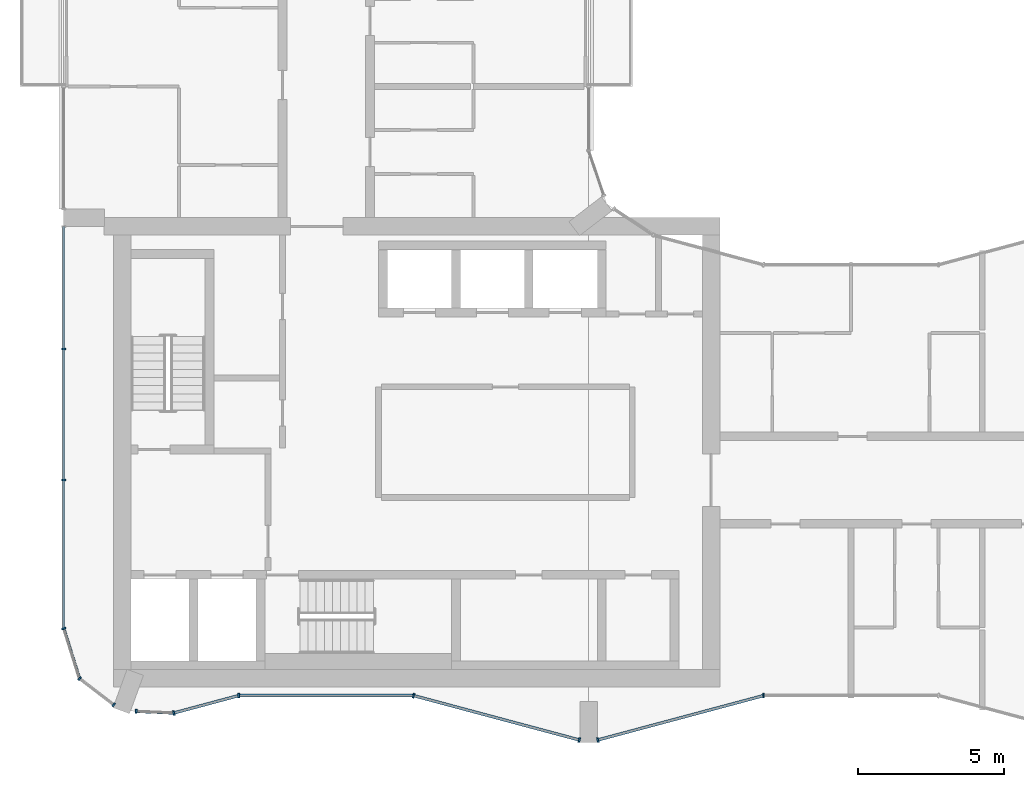
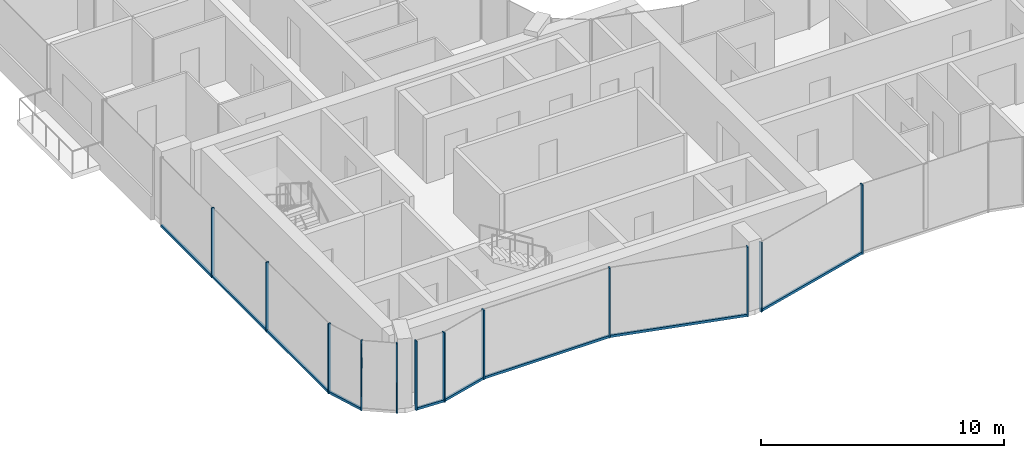
# One storey, part 2 of 17: 19 members, 9 elements without a shape of their own.
"""IFC4 building model written with IfcOpenShell, lengths in metres."""

from ifc_helpers import new_model, si_unit, direction, frame, origin, origin_2d, place, context, subcontext, project, spatial, rectangle, extrude, material, layer, layer_set, material_profile, profile_set, type_object, element, aggregate, save


model = new_model("IFC4")

# Units and contexts
model_context = context("Model", 3, precision=1e-05, world=origin(), true_north=direction((0.0, 1.0)))
body_context = subcontext(model_context, "Body", "Model", "MODEL_VIEW")
ifc_project = project(units=[si_unit("LENGTHUNIT", "METRE"), si_unit("AREAUNIT", "SQUARE_METRE"), si_unit("VOLUMEUNIT", "CUBIC_METRE"), si_unit("PLANEANGLEUNIT", "RADIAN"), si_unit("MASSUNIT", "GRAM", prefix="KILO")], contexts=[model_context])

# Site, building, storey
site_placement = place(None, origin())
site = spatial("IfcSite", under=ifc_project, at=site_placement, CompositionType="ELEMENT")
building_placement = place(site_placement, origin())
building = spatial("IfcBuilding", under=site, at=building_placement, Name="Plateau Cross Towers", CompositionType="ELEMENT")
storey_placement = place(building_placement, frame((0.0, 0.0, 146.39990234375)))
storey = spatial("IfcBuildingStorey", under=building, at=storey_placement, Name="L37", CompositionType="ELEMENT", Elevation=146.39990234375)

# Curtain wall, members
ifc_material_1 = material(Name="Dark low-iron glass", Category="glass")
ifc_layer_1 = layer(ifc_material_1, 0.239990234375)
ifc_layer_set_1 = layer_set([ifc_layer_1], Name="Dark low-iron glass")
curtain_wall_type_1 = type_object("IfcCurtainWallType", Name="Curtain wall flush unitised CW-B", PredefinedType="NOTDEFINED", material=ifc_layer_set_1)
curtain_wall_1_placement = place(storey_placement, origin())
curtain_wall_1 = element("IfcCurtainWall", 1, at=curtain_wall_1_placement, inside=storey, type_object=curtain_wall_type_1, Name="ENV/A/L37/A0_177", PredefinedType="NOTDEFINED")
ifc_material_2 = material(Name="Black anodised aluminium", Category="aluminium")
ifc_material_profile_1 = material_profile(ifc_material_2, rectangle(XDim=0.06005859375, YDim=0.139892578125, at=origin_2d()), Name="MULLION 60x140")
ifc_profile_set_1 = profile_set([ifc_material_profile_1], Name="Black anodised aluminium")
member_type_1 = type_object("IfcMemberType", Name="Mullion 60x140 flush unitised", PredefinedType="MULLION", material=ifc_profile_set_1)
member_1_placement = place(storey_placement, frame((0.0, 13.5, -0.25), z_axis=(0.0, 0.0, 1.0), x_axis=(0.0, -1.0, 0.0)))
member_1 = element("IfcMember", 2, at=member_1_placement, type_object=member_type_1, Name="CW-B mullion 2", PredefinedType="MULLION", context=body_context, shape_type="SweptSolid", body=[
    extrude(rectangle(XDim=0.06005859375, YDim=0.139892578125, at=origin_2d()), origin(), (0.0, 0.0, 1.0), 3.5),
])
member_2_placement = place(storey_placement, frame((0.0, 9.0, -0.25), z_axis=(0.0, 0.0, 1.0), x_axis=(0.0, -1.0, 0.0)))
member_2 = element("IfcMember", 3, at=member_2_placement, type_object=member_type_1, Name="CW-B mullion 3", PredefinedType="MULLION", context=body_context, shape_type="SweptSolid", body=[
    extrude(rectangle(XDim=0.06005859375, YDim=0.139892578125, at=origin_2d()), origin(), (0.0, 0.0, 1.0), 3.5),
])

# Curtain wall, member
curtain_wall_2_placement = place(storey_placement, origin())
curtain_wall_2 = element("IfcCurtainWall", 4, at=curtain_wall_2_placement, inside=storey, type_object=curtain_wall_type_1, Name="ENV/A/L37/A0_39", PredefinedType="NOTDEFINED")
member_3_placement = place(storey_placement, frame((0.0, 3.9091796875, -0.25), z_axis=(0.0, 0.0, 1.0), x_axis=(0.300686174994, -0.95372313811, 0.0)))
member_3 = element("IfcMember", 5, at=member_3_placement, type_object=member_type_1, Name="CW-B mullion 1", PredefinedType="MULLION", context=body_context, shape_type="SweptSolid", body=[
    extrude(rectangle(XDim=0.06005859375, YDim=0.139892578125, at=origin_2d()), origin(), (0.0, 0.0, 1.0), 3.5),
])

# Curtain wall, members
curtain_wall_3_placement = place(storey_placement, origin())
curtain_wall_3 = element("IfcCurtainWall", 6, at=curtain_wall_3_placement, inside=storey, type_object=curtain_wall_type_1, Name="ENV/A/L37/A5_22", PredefinedType="NOTDEFINED")
member_4_placement = place(storey_placement, frame((0.54248046875, 2.1884765625, -0.25), z_axis=(0.0, 0.0, 1.0), x_axis=(0.793315514529, -0.608810721331, 0.0)))
member_4 = element("IfcMember", 7, at=member_4_placement, type_object=member_type_1, Name="CW-B mullion 1", PredefinedType="MULLION", context=body_context, shape_type="SweptSolid", body=[
    extrude(rectangle(XDim=0.06005859375, YDim=0.139892578125, at=origin_2d()), origin(), (0.0, 0.0, 1.0), 3.5),
])
member_5_placement = place(storey_placement, frame((1.709716796875, 1.292724609375, -0.25), z_axis=(0.0, 0.0, 1.0), x_axis=(0.793315514529, -0.608810721331, 0.0)))
member_5 = element("IfcMember", 8, at=member_5_placement, type_object=member_type_1, Name="CW-B mullion 2", PredefinedType="MULLION", context=body_context, shape_type="SweptSolid", body=[
    extrude(rectangle(XDim=0.06005859375, YDim=0.139892578125, at=origin_2d()), origin(), (0.0, 0.0, 1.0), 3.5),
])
aggregate(curtain_wall_3, [member_4, member_5])

# Curtain wall, member
curtain_wall_4_placement = place(storey_placement, origin())
curtain_wall_4 = element("IfcCurtainWall", 9, at=curtain_wall_4_placement, inside=storey, type_object=curtain_wall_type_1, Name="ENV/A/L37/A25_11", PredefinedType="NOTDEFINED")
member_6_placement = place(storey_placement, frame((2.483642578125, 1.06787109375, -0.25), z_axis=(0.0, 0.0, 1.0), x_axis=(0.999043701491, -0.043722791671, 0.0)))
member_6 = element("IfcMember", 10, at=member_6_placement, type_object=member_type_1, Name="CW-B mullion 1", PredefinedType="MULLION", context=body_context, shape_type="SweptSolid", body=[
    extrude(rectangle(XDim=0.06005859375, YDim=0.139892578125, at=origin_2d()), origin(), (0.0, 0.0, 1.0), 3.5),
])

ifc_layer_2 = layer(ifc_material_1, 0.260009765625)
ifc_layer_set_2 = layer_set([ifc_layer_2], Name="Dark low-iron glass")
curtain_wall_type_2 = type_object("IfcCurtainWallType", Name="Curtain wall fluted unitised CW-A", PredefinedType="NOTDEFINED", material=ifc_layer_set_2)
curtain_wall_5_placement = place(storey_placement, origin())
curtain_wall_5 = element("IfcCurtainWall", 11, at=curtain_wall_5_placement, inside=storey, type_object=curtain_wall_type_2, Name="ENV/A/L37/A38_10", PredefinedType="NOTDEFINED")
ifc_material_profile_2 = material_profile(ifc_material_2, rectangle(XDim=0.06005859375, YDim=0.159912109375, at=origin_2d()), Name="MULLION 60x160")
ifc_profile_set_2 = profile_set([ifc_material_profile_2], Name="Black anodised aluminium")
member_type_2 = type_object("IfcMemberType", Name="Mullion 60x160 fluted unitised", PredefinedType="MULLION", material=ifc_profile_set_2)
member_7_placement = place(storey_placement, frame((3.776123046875, 1.01123046875, -0.25), z_axis=(0.0, 0.0, 1.0), x_axis=(0.965957962328, 0.258699081978, 0.0)))
member_7 = element("IfcMember", 12, at=member_7_placement, type_object=member_type_2, Name="CW-A mullion 1", PredefinedType="MULLION", context=body_context, shape_type="SweptSolid", body=[
    extrude(rectangle(XDim=0.06005859375, YDim=0.159912109375, at=origin_2d()), origin(), (0.0, 0.0, 1.0), 3.5),
])

curtain_wall_6_placement = place(storey_placement, origin())
curtain_wall_6 = element("IfcCurtainWall", 13, at=curtain_wall_6_placement, inside=storey, type_object=curtain_wall_type_2, Name="ENV/A/L37/A60_16", PredefinedType="NOTDEFINED")
member_8_placement = place(storey_placement, frame((6.0, 1.60693359375, -0.25), z_axis=(0.0, 0.0, 1.0), x_axis=(1.0, 0.0, 0.0)))
member_8 = element("IfcMember", 14, at=member_8_placement, type_object=member_type_2, Name="CW-A mullion 1", PredefinedType="MULLION", context=body_context, shape_type="SweptSolid", body=[
    extrude(rectangle(XDim=0.06005859375, YDim=0.159912109375, at=origin_2d()), origin(), (0.0, 0.0, 1.0), 3.5),
])

# Curtain wall, members
curtain_wall_7_placement = place(storey_placement, origin())
curtain_wall_7 = element("IfcCurtainWall", 15, at=curtain_wall_7_placement, inside=storey, type_object=curtain_wall_type_2, Name="ENV/A/L37/A120_16", PredefinedType="NOTDEFINED")
member_9_placement = place(storey_placement, frame((12.0, 1.60693359375, -0.25), z_axis=(0.0, 0.0, 1.0), x_axis=(0.965957983404, -0.258699003279, 0.0)))
member_9 = element("IfcMember", 16, at=member_9_placement, type_object=member_type_2, Name="CW-A mullion 1", PredefinedType="MULLION", context=body_context, shape_type="SweptSolid", body=[
    extrude(rectangle(XDim=0.06005859375, YDim=0.159912109375, at=origin_2d()), origin(), (0.0, 0.0, 1.0), 3.5),
])
member_10_placement = place(storey_placement, frame((17.68212890625, 0.085205078125, -0.25), z_axis=(0.0, 0.0, 1.0), x_axis=(0.965957983404, -0.258699003279, 0.0)))
member_10 = element("IfcMember", 17, at=member_10_placement, type_object=member_type_2, Name="CW-A mullion 2", PredefinedType="MULLION", context=body_context, shape_type="SweptSolid", body=[
    extrude(rectangle(XDim=0.06005859375, YDim=0.159912109375, at=origin_2d()), origin(), (0.0, 0.0, 1.0), 3.5),
])

# Curtain wall, member
curtain_wall_8_placement = place(storey_placement, origin())
curtain_wall_8 = element("IfcCurtainWall", 18, at=curtain_wall_8_placement, inside=storey, type_object=curtain_wall_type_2, Name="ENV/A/L37/A183_1", PredefinedType="NOTDEFINED")
member_11_placement = place(storey_placement, frame((18.31787109375, 0.085205078125, -0.25), z_axis=(0.0, 0.0, 1.0), x_axis=(0.965957983404, 0.258699003279, 0.0)))
member_11 = element("IfcMember", 19, at=member_11_placement, type_object=member_type_2, Name="CW-A mullion 1", PredefinedType="MULLION", context=body_context, shape_type="SweptSolid", body=[
    extrude(rectangle(XDim=0.06005859375, YDim=0.159912109375, at=origin_2d()), origin(), (0.0, 0.0, 1.0), 3.5),
])

curtain_wall_9_placement = place(storey_placement, origin())
curtain_wall_9 = element("IfcCurtainWall", 20, at=curtain_wall_9_placement, inside=storey, type_object=curtain_wall_type_2, Name="ENV/A/L37/A240_16", PredefinedType="NOTDEFINED")
member_12_placement = place(storey_placement, frame((24.0, 1.60693359375, -0.25), z_axis=(0.0, 0.0, 1.0), x_axis=(1.0, 0.0, 0.0)))
member_12 = element("IfcMember", 21, at=member_12_placement, type_object=member_type_2, Name="CW-A mullion 1", PredefinedType="MULLION", context=body_context, shape_type="SweptSolid", body=[
    extrude(rectangle(XDim=0.06005859375, YDim=0.159912109375, at=origin_2d()), origin(), (0.0, 0.0, 1.0), 3.5),
])
aggregate(curtain_wall_9, [member_12])

# Member
ifc_material_profile_3 = material_profile(ifc_material_2, rectangle(XDim=0.10009765625, YDim=0.1201171875, at=origin_2d()), Name="TRANSOM 100x120")
ifc_profile_set_3 = profile_set([ifc_material_profile_3], Name="Black anodised aluminium")
member_type_3 = type_object("IfcMemberType", Name="Transom 100x120 flush unitised", PredefinedType="USERDEFINED", material=ifc_profile_set_3)
member_13_placement = place(storey_placement, frame((0.0, 17.699951171875, -0.18994140625), z_axis=(0.0, -1.0, 0.0), x_axis=(1.0, 0.0, 0.0)))
member_13 = element("IfcMember", 22, at=member_13_placement, type_object=member_type_3, Name="CW-B transom", ObjectType="TRANSOM", PredefinedType="USERDEFINED", context=body_context, shape_type="SweptSolid", body=[
    extrude(rectangle(XDim=0.10009765625, YDim=0.1201171875, at=origin_2d()), origin(), (0.0, 0.0, 1.0), 13.790771484375),
])

aggregate(curtain_wall_1, [member_1, member_2, member_13])

member_14_placement = place(storey_placement, frame((0.0, 3.9091796875, -0.18994140625), z_axis=(0.30067799945, -0.953725715626, 0.0), x_axis=(0.953725715626, 0.30067799945, 0.0)))
member_14 = element("IfcMember", 23, at=member_14_placement, type_object=member_type_3, Name="CW-B transom", ObjectType="TRANSOM", PredefinedType="USERDEFINED", context=body_context, shape_type="SweptSolid", body=[
    extrude(rectangle(XDim=0.10009765625, YDim=0.1201171875, at=origin_2d()), origin(), (0.0, 0.0, 1.0), 1.80419921875),
])

aggregate(curtain_wall_2, [member_3, member_14])

member_15_placement = place(storey_placement, frame((2.483642578125, 1.06787109375, -0.18994140625), z_axis=(0.999041144614, -0.043781175963, 0.0), x_axis=(0.043781175963, 0.999041144614, 0.0)))
member_15 = element("IfcMember", 24, at=member_15_placement, type_object=member_type_3, Name="CW-B transom", ObjectType="TRANSOM", PredefinedType="USERDEFINED", context=body_context, shape_type="SweptSolid", body=[
    extrude(rectangle(XDim=0.10009765625, YDim=0.1201171875, at=origin_2d()), origin(), (0.0, 0.0, 1.0), 1.293701171875),
])

aggregate(curtain_wall_4, [member_6, member_15])

ifc_material_profile_4 = material_profile(ifc_material_2, rectangle(XDim=0.10009765625, YDim=0.1201171875, at=origin_2d()), Name="TRANSOM 100x120")
ifc_profile_set_4 = profile_set([ifc_material_profile_4], Name="Black anodised aluminium")
member_type_4 = type_object("IfcMemberType", Name="Transom 100x120 fluted unitised", PredefinedType="USERDEFINED", material=ifc_profile_set_4)
member_16_placement = place(storey_placement, frame((3.776123046875, 1.01123046875, -0.18994140625), z_axis=(0.965945685136, 0.258744919501, 0.0), x_axis=(-0.258744919501, 0.965945685136, 0.0)))
member_16 = element("IfcMember", 25, at=member_16_placement, type_object=member_type_4, Name="CW-A transom", ObjectType="TRANSOM", PredefinedType="USERDEFINED", context=body_context, shape_type="SweptSolid", body=[
    extrude(rectangle(XDim=0.10009765625, YDim=0.1201171875, at=origin_2d()), origin(), (0.0, 0.0, 1.0), 2.30224609375),
])

aggregate(curtain_wall_5, [member_7, member_16])

member_17_placement = place(storey_placement, frame((6.0, 1.60693359375, -0.18994140625), z_axis=(1.0, 0.0, 0.0), x_axis=(0.0, 1.0, 0.0)))
member_17 = element("IfcMember", 26, at=member_17_placement, type_object=member_type_4, Name="CW-A transom", ObjectType="TRANSOM", PredefinedType="USERDEFINED", context=body_context, shape_type="SweptSolid", body=[
    extrude(rectangle(XDim=0.10009765625, YDim=0.1201171875, at=origin_2d()), origin(), (0.0, 0.0, 1.0), 6.0),
])

aggregate(curtain_wall_6, [member_8, member_17])

member_18_placement = place(storey_placement, frame((12.0, 1.60693359375, -0.18994140625), z_axis=(0.965959534794, -0.258693210465, 0.0), x_axis=(0.258693210465, 0.965959534794, 0.0)))
member_18 = element("IfcMember", 27, at=member_18_placement, type_object=member_type_4, Name="CW-A transom", ObjectType="TRANSOM", PredefinedType="USERDEFINED", context=body_context, shape_type="SweptSolid", body=[
    extrude(rectangle(XDim=0.10009765625, YDim=0.1201171875, at=origin_2d()), origin(), (0.0, 0.0, 1.0), 5.88232421875),
])

aggregate(curtain_wall_7, [member_9, member_10, member_18])

member_19_placement = place(storey_placement, frame((18.31787109375, 0.085205078125, -0.18994140625), z_axis=(0.965959534794, 0.258693210465, 0.0), x_axis=(-0.258693210465, 0.965959534794, 0.0)))
member_19 = element("IfcMember", 28, at=member_19_placement, type_object=member_type_4, Name="CW-A transom", ObjectType="TRANSOM", PredefinedType="USERDEFINED", context=body_context, shape_type="SweptSolid", body=[
    extrude(rectangle(XDim=0.10009765625, YDim=0.1201171875, at=origin_2d()), origin(), (0.0, 0.0, 1.0), 5.88232421875),
])

aggregate(curtain_wall_8, [member_11, member_19])

save(model, "model.ifc")
